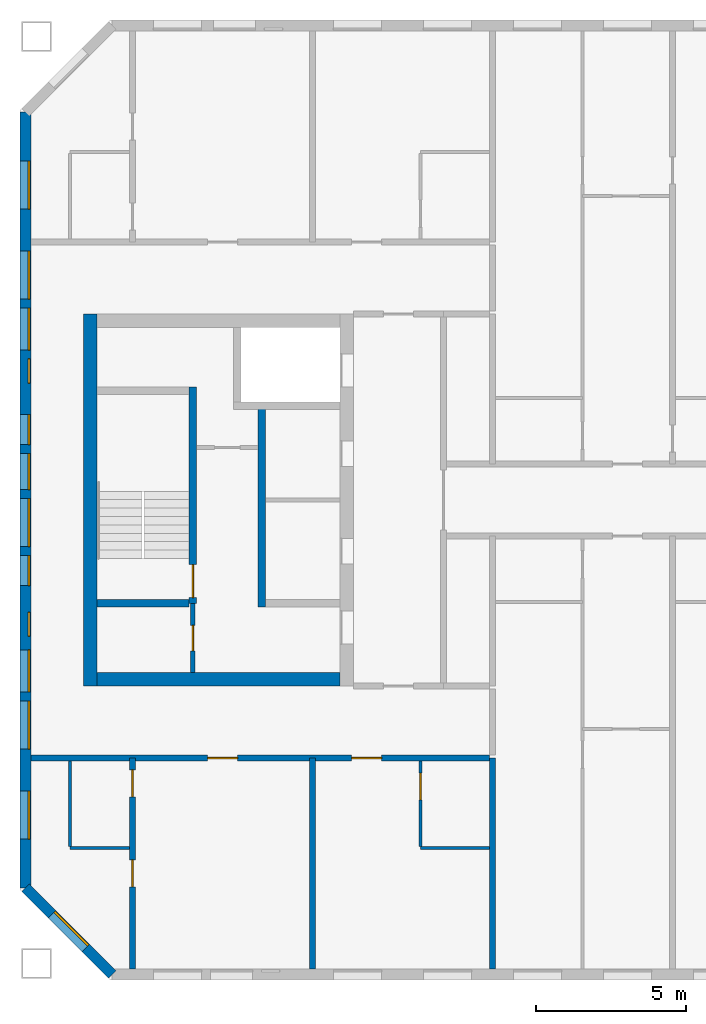
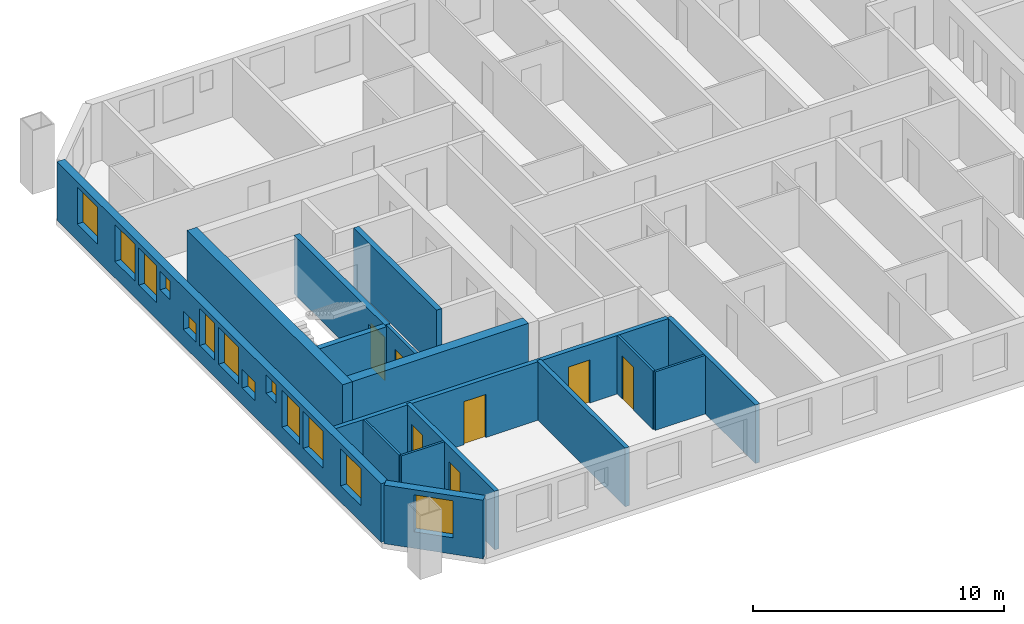
# One storey, part 2 of 16: 16 walls, 13 windows, 7 doors, 20 openings.
"""IFC4 building model written with IfcOpenShell, lengths in metres."""

import ifcopenshell
import ifcopenshell.guid

model = None  # the IFC model being written
_history = None  # IfcOwnerHistory: only IFC2X3 demands one
_inside = {}  # id of a spatial element -> (the spatial element, [elements in it])
_under = {}  # id of a project, library or spatial element -> (it, [spatial elements below it])
_declared = {}  # id of a project -> (the project, [libraries it declares])
_typed = {}  # id of a type object -> (the type object, [elements of that type])
_made_of = {}  # id of a material, layer set ... -> (it, [elements and type objects made of it])


def new_model(schema):
    """Start an empty IFC model of exactly this schema.

    Asked for "IFC4X3", IfcOpenShell would pick the latest addendum, in which some entities
    have other attributes; the version numbers below select the first issue.
    IFC2X3 requires an IfcOwnerHistory on every rooted entity: one is made here for all.
    """
    global model, _history
    if schema == "IFC4X3":
        model = ifcopenshell.file(schema_version=(4, 3, 0, 0))
    else:
        model = ifcopenshell.file(schema=schema)
    _inside.clear()
    _under.clear()
    _declared.clear()
    _typed.clear()
    _made_of.clear()
    _history = None
    if model.schema == "IFC2X3":
        org = make("IfcOrganization", Name="unknown")
        user = make(
            "IfcPersonAndOrganization",
            ThePerson=make("IfcPerson", FamilyName="unknown"),
            TheOrganization=org,
        )
        app = make(
            "IfcApplication",
            ApplicationDeveloper=org,
            Version="unknown",
            ApplicationFullName="unknown",
            ApplicationIdentifier="unknown",
        )
        _history = make(
            "IfcOwnerHistory",
            OwningUser=user,
            OwningApplication=app,
            ChangeAction="ADDED",
            CreationDate=0,
        )
    return model


def make(cls, **values):
    """One entity of the class cls with the attributes given. An attribute that is None is left unset."""
    return model.create_entity(
        cls, **{name: value for name, value in values.items() if value is not None}
    )


def rooted(cls, **values):
    """An entity with a GlobalId (a new one), such as an element, a storey or a relation."""
    return make(cls, GlobalId=ifcopenshell.guid.new(), OwnerHistory=_history, **values)


def si_unit(unit_type, name, prefix=None):
    """IfcSIUnit, for example si_unit("LENGTHUNIT", "METRE", prefix="MILLI")."""
    return make("IfcSIUnit", UnitType=unit_type, Prefix=prefix, Name=name)


def assignment(units):
    """IfcUnitAssignment: the units of a project."""
    return None if units is None else make("IfcUnitAssignment", Units=units)


def point(xyz):
    """IfcCartesianPoint."""
    return None if xyz is None else make("IfcCartesianPoint", Coordinates=xyz)


def direction(xyz):
    """IfcDirection."""
    return None if xyz is None else make("IfcDirection", DirectionRatios=xyz)


def frame(location, z_axis=None, x_axis=None):
    """IfcAxis2Placement3D, a coordinate frame: its origin and axes. An axis left out is left unset."""
    return make(
        "IfcAxis2Placement3D",
        Location=point(location),
        Axis=direction(z_axis),
        RefDirection=direction(x_axis),
    )


def frame_2d(location, x_axis=None):
    """IfcAxis2Placement2D, a coordinate frame in the plane: its origin and x axis."""
    return make(
        "IfcAxis2Placement2D", Location=point(location), RefDirection=direction(x_axis)
    )


def origin():
    """The frame at (0, 0, 0) with its axes left unset."""
    return frame((0.0, 0.0, 0.0))


def place(relative_to, where):
    """IfcLocalPlacement: puts the frame where relative to a parent placement (None: the world)."""
    return make(
        "IfcLocalPlacement", PlacementRelTo=relative_to, RelativePlacement=where
    )


def context(
    kind, dimensions, precision=None, world=None, true_north=None, identifier=None
):
    """IfcGeometricRepresentationContext, for example the 3D "Model" context."""
    return make(
        "IfcGeometricRepresentationContext",
        ContextIdentifier=identifier,
        ContextType=kind,
        CoordinateSpaceDimension=dimensions,
        Precision=precision,
        WorldCoordinateSystem=world,
        TrueNorth=true_north,
    )


def subcontext(parent, identifier, kind, view, scale=None):
    """IfcGeometricRepresentationSubContext, for example "Body" below "Model"."""
    return make(
        "IfcGeometricRepresentationSubContext",
        ContextIdentifier=identifier,
        ContextType=kind,
        ParentContext=parent,
        TargetScale=scale,
        TargetView=view,
    )


def project(units=None, contexts=None):
    """IfcProject with its units and contexts."""
    return rooted(
        "IfcProject",
        Name="project",
        RepresentationContexts=contexts,
        UnitsInContext=assignment(units),
    )


def spatial(cls, under=None, at=None, **own):
    """A site, building, storey or space (cls), placed at a placement, below another one or the project."""
    s = rooted(cls, ObjectPlacement=at, **own)
    if under is not None:
        _under.setdefault(under.id(), (under, []))[1].append(s)
    return s


def profile(cls, at=None, kind="AREA", **sizes):
    """A parametric profile (cls). Its sizes go by their IFC names, for example OverallWidth=200.0."""
    return make(cls, ProfileType=kind, Position=at, **sizes)


def rectangle(**sizes):
    """IfcRectangleProfileDef."""
    return profile("IfcRectangleProfileDef", **sizes)


def extrude(swept, where, along, depth):
    """IfcExtrudedAreaSolid: the profile swept, set in the frame where, extruded along a direction by depth."""
    return make(
        "IfcExtrudedAreaSolid",
        SweptArea=swept,
        Position=where,
        ExtrudedDirection=direction(along),
        Depth=depth,
    )


def shape(context_of_items, identifier, shape_type, items):
    """IfcShapeRepresentation: the items that make up one representation, for example the "Body"."""
    return make(
        "IfcShapeRepresentation",
        ContextOfItems=context_of_items,
        RepresentationIdentifier=identifier,
        RepresentationType=shape_type,
        Items=items,
    )


def material(Name=None, Category=None):
    """IfcMaterial."""
    return make("IfcMaterial", Name=Name, Category=Category)


def layer(
    of_material, thickness, ventilated=None, Name=None, Category=None, Priority=None
):
    """IfcMaterialLayer: one layer of a wall or slab, of a material (None: an air gap)."""
    return make(
        "IfcMaterialLayer",
        Material=of_material,
        LayerThickness=thickness,
        IsVentilated=ventilated,
        Name=Name,
        Category=Category,
        Priority=Priority,
    )


def layer_set(layers, Name=None):
    """IfcMaterialLayerSet."""
    return make("IfcMaterialLayerSet", MaterialLayers=layers, LayerSetName=Name)


def made_of(thing, what):
    """Note that an element or type object is made of a material, layer set ...; save() writes the relation."""
    if what is not None:
        _made_of.setdefault(what.id(), (what, []))[1].append(thing)
    return thing


def type_object(cls, material=None, **own):
    """A type object (cls), such as IfcWallType, which elements share."""
    return made_of(rooted(cls, **own), material)


def element(
    cls,
    number,
    at=None,
    inside=None,
    cuts=None,
    type_object=None,
    material=None,
    context=None,
    identifier="Body",
    shape_type=None,
    held_by="IfcProductDefinitionShape",
    body=None,
    shapes=None,
    **own,
):
    """One element of the class cls, such as IfcWall. Its Tag is "e" and its number.

    at: its placement. inside: the storey or other place that contains it. cuts: it is an
    opening in that element (IfcRelVoidsElement). A single representation is given by context,
    identifier, shape_type and body (its items); several are given by shapes. held_by: the class
    of the entity that holds the representations. save() writes the other relations.
    """
    e = rooted(cls, Tag="e%d" % number, ObjectPlacement=at, **own)
    if body is not None:
        shapes = [shape(context, identifier, shape_type, body)]
    if shapes is not None:
        e.Representation = make(held_by, Representations=shapes)
    if inside is not None:
        _inside.setdefault(inside.id(), (inside, []))[1].append(e)
    if cuts is not None:
        rooted(
            "IfcRelVoidsElement", RelatingBuildingElement=cuts, RelatedOpeningElement=e
        )
    if type_object is not None:
        _typed.setdefault(type_object.id(), (type_object, []))[1].append(e)
    return made_of(e, material)


def fill(opening, filler):
    """IfcRelFillsElement: the door or window that sits in an opening."""
    return rooted(
        "IfcRelFillsElement",
        RelatingOpeningElement=opening,
        RelatedBuildingElement=filler,
    )


def aggregate(whole, parts):
    """IfcRelAggregates: a whole, such as a stair, and the parts it consists of."""
    return rooted("IfcRelAggregates", RelatingObject=whole, RelatedObjects=parts)


def save(model, path):
    """Write the relations noted so far, then the file.

    IfcRelAggregates (storeys below a building ...), IfcRelContainedInSpatialStructure (elements
    in a storey), IfcRelDefinesByType, IfcRelAssociatesMaterial and IfcRelDeclares: one each for
    every whole, place, type object, material and project.
    """
    for whole, parts in _under.values():
        aggregate(whole, parts)
    for where, things in _inside.values():
        rooted(
            "IfcRelContainedInSpatialStructure",
            RelatedElements=things,
            RelatingStructure=where,
        )
    for kind, things in _typed.values():
        rooted("IfcRelDefinesByType", RelatedObjects=things, RelatingType=kind)
    for what, things in _made_of.values():
        rooted("IfcRelAssociatesMaterial", RelatedObjects=things, RelatingMaterial=what)
    for by, libraries in _declared.values():
        rooted("IfcRelDeclares", RelatingContext=by, RelatedDefinitions=libraries)
    model.write(path)


model = new_model("IFC4")

# Units and contexts
model_context = context("Model", 3, precision=1e-05, world=origin(), true_north=direction((0.0, 1.0)))
body_context = subcontext(model_context, "Body", "Model", "MODEL_VIEW")
ifc_project = project(units=[si_unit("LENGTHUNIT", "METRE"), si_unit("AREAUNIT", "SQUARE_METRE"), si_unit("VOLUMEUNIT", "CUBIC_METRE"), si_unit("PLANEANGLEUNIT", "RADIAN"), si_unit("MASSUNIT", "GRAM", prefix="KILO")], contexts=[model_context])

# Site, building, storey
site_placement = place(None, origin())
site = spatial("IfcSite", under=ifc_project, at=site_placement, CompositionType="ELEMENT")
building_placement = place(site_placement, origin())
building = spatial("IfcBuilding", under=site, at=building_placement, Name="Tuart Gate Housing", CompositionType="ELEMENT")
storey_placement = place(building_placement, frame((0.0, 0.0, 178.89990234375)))
storey = spatial("IfcBuildingStorey", under=building, at=storey_placement, Name="L50", CompositionType="ELEMENT", Elevation=178.89990234375)

# Wall, opening, window
ifc_material_1 = material(Name="Brick", Category="masonry")
ifc_layer_1 = layer(ifc_material_1, 0.360107421875)
ifc_layer_set_1 = layer_set([ifc_layer_1], Name="Brick pier and spandrel wall 360")
wall_type_1 = type_object("IfcWallType", Name="Brick pier and spandrel wall 360", PredefinedType="STANDARD", material=ifc_layer_set_1)
wall_1_placement = place(storey_placement, frame((30.429931640625, 57.07470703125, 0.0), z_axis=(0.0, 0.0, 1.0), x_axis=(0.707106781187, -0.707106781187, 0.0)))
wall_1 = element("IfcWall", 1, at=wall_1_placement, inside=storey, type_object=wall_type_1, Name="External wall A-SW L50", PredefinedType="STANDARD", context=body_context, shape_type="SweptSolid", body=[
    extrude(rectangle(XDim=4.09375, YDim=0.360107421875, at=frame_2d((2.046875, 0.0))), origin(), (0.0, 0.0, 1.0), 2.85009765625),
])
opening_1_placement = place(wall_1_placement, frame((1.2470703125, 0.0, 0.800048828125)))
opening_1 = element("IfcOpeningElement", 2, at=opening_1_placement, cuts=wall_1, Name="Opening W1", PredefinedType="OPENING", context=body_context, shape_type="SweptSolid", body=[
    extrude(rectangle(XDim=1.60009765625, YDim=1.800048828125, at=frame_2d((0.800048828125, 0.89990234375))), frame((0.0, 0.18994140625, 0.0), z_axis=(0.0, -1.0, 0.0), x_axis=(1.0, 0.0, 0.0)), (0.0, 0.0, 1.0), 0.380126953125),
])
ifc_material_2 = material(Name="Aluminium frame with clear glass", Category="aluminium")
window_type_1 = type_object("IfcWindowType", Name="Punched window 1600 x 1800", PartitioningType="SINGLE_PANEL", PredefinedType="WINDOW", material=ifc_material_2)
window_1_placement = place(opening_1_placement, origin())
window_1 = element("IfcWindow", 3, at=window_1_placement, inside=storey, type_object=window_type_1, Name="Window W1", OverallHeight=1.800048828125, OverallWidth=1.60009765625, PartitioningType="SINGLE_PANEL", PredefinedType="WINDOW", context=body_context, shape_type="SweptSolid", body=[
    extrude(rectangle(XDim=1.60009765625, YDim=1.800048828125, at=frame_2d((0.800048828125, 0.89990234375))), frame((0.0, 0.150146484375, 0.0), z_axis=(0.0, -1.0, 0.0), x_axis=(1.0, 0.0, 0.0)), (0.0, 0.0, 1.0), 0.06005859375),
])
fill(opening_1, window_1)

# Wall, openings, windows
wall_2_placement = place(storey_placement, frame((30.429931640625, 82.92529296875, 0.0), z_axis=(0.0, 0.0, 1.0), x_axis=(0.0, -1.0, 0.0)))
wall_2 = element("IfcWall", 4, at=wall_2_placement, inside=storey, type_object=wall_type_1, Name="External wall A-W L50", PredefinedType="STANDARD", context=body_context, shape_type="SweptSolid", body=[
    extrude(rectangle(XDim=25.850830078125, YDim=0.360107421875, at=frame_2d((12.92529296875, 0.0))), origin(), (0.0, 0.0, 1.0), 2.85009765625),
])
opening_2_placement = place(wall_2_placement, frame((1.62548828125, 0.0, 0.800048828125)))
opening_2 = element("IfcOpeningElement", 5, at=opening_2_placement, cuts=wall_2, Name="Opening W1", PredefinedType="OPENING", context=body_context, shape_type="SweptSolid", body=[
    extrude(rectangle(XDim=1.60009765625, YDim=1.800048828125, at=frame_2d((0.800048828125, 0.89990234375))), frame((0.0, 0.18994140625, 0.0), z_axis=(0.0, -1.0, 0.0), x_axis=(1.0, 0.0, 0.0)), (0.0, 0.0, 1.0), 0.380126953125),
])
opening_3_placement = place(wall_2_placement, frame((4.62548828125, 0.0, 0.800048828125)))
opening_3 = element("IfcOpeningElement", 6, at=opening_3_placement, cuts=wall_2, Name="Opening W1", PredefinedType="OPENING", context=body_context, shape_type="SweptSolid", body=[
    extrude(rectangle(XDim=1.60009765625, YDim=1.800048828125, at=frame_2d((0.800048828125, 0.89990234375))), frame((0.0, 0.18994140625, 0.0), z_axis=(0.0, -1.0, 0.0), x_axis=(1.0, 0.0, 0.0)), (0.0, 0.0, 1.0), 0.380126953125),
])
opening_4_placement = place(wall_2_placement, frame((6.525390625, 0.0, 0.800048828125)))
opening_4 = element("IfcOpeningElement", 7, at=opening_4_placement, cuts=wall_2, Name="Opening W1A", PredefinedType="OPENING", context=body_context, shape_type="SweptSolid", body=[
    extrude(rectangle(XDim=1.39990234375, YDim=1.800048828125, at=frame_2d((0.699951171875, 0.89990234375))), frame((0.0, 0.18994140625, 0.0), z_axis=(0.0, -1.0, 0.0), x_axis=(1.0, 0.0, 0.0)), (0.0, 0.0, 1.0), 0.380126953125),
])
opening_5_placement = place(wall_2_placement, frame((8.225341796875, 0.0, 1.60009765625)))
opening_5 = element("IfcOpeningElement", 8, at=opening_5_placement, cuts=wall_2, Name="Opening W1V", PredefinedType="OPENING", context=body_context, shape_type="SweptSolid", body=[
    extrude(rectangle(XDim=0.800048828125, YDim=0.89990234375, at=frame_2d((0.39990234375, 0.449951171875))), frame((0.0, 0.18994140625, 0.0), z_axis=(0.0, -1.0, 0.0), x_axis=(1.0, 0.0, 0.0)), (0.0, 0.0, 1.0), 0.380126953125),
])
opening_6_placement = place(wall_2_placement, frame((10.075439453125, 0.0, 0.800048828125)))
opening_6 = element("IfcOpeningElement", 9, at=opening_6_placement, cuts=wall_2, Name="Opening W1U", PredefinedType="OPENING", context=body_context, shape_type="SweptSolid", body=[
    extrude(rectangle(XDim=1.0, YDim=0.89990234375, at=frame_2d((0.5, 0.449951171875))), frame((0.0, 0.18994140625, 0.0), z_axis=(0.0, -1.0, 0.0), x_axis=(1.0, 0.0, 0.0)), (0.0, 0.0, 1.0), 0.380126953125),
])
opening_7_placement = place(wall_2_placement, frame((11.37548828125, 0.0, 0.800048828125)))
opening_7 = element("IfcOpeningElement", 10, at=opening_7_placement, cuts=wall_2, Name="Opening W1B", PredefinedType="OPENING", context=body_context, shape_type="SweptSolid", body=[
    extrude(rectangle(XDim=1.199951171875, YDim=1.800048828125, at=frame_2d((0.60009765625, 0.89990234375))), frame((0.0, 0.18994140625, 0.0), z_axis=(0.0, -1.0, 0.0), x_axis=(1.0, 0.0, 0.0)), (0.0, 0.0, 1.0), 0.380126953125),
])
opening_8_placement = place(wall_2_placement, frame((19.62548828125, 0.0, 0.800048828125)))
opening_8 = element("IfcOpeningElement", 11, at=opening_8_placement, cuts=wall_2, Name="Opening W1", PredefinedType="OPENING", context=body_context, shape_type="SweptSolid", body=[
    extrude(rectangle(XDim=1.60009765625, YDim=1.800048828125, at=frame_2d((0.800048828125, 0.89990234375))), frame((0.0, 0.18994140625, 0.0), z_axis=(0.0, -1.0, 0.0), x_axis=(1.0, 0.0, 0.0)), (0.0, 0.0, 1.0), 0.380126953125),
])
opening_9_placement = place(wall_2_placement, frame((22.62548828125, 0.0, 0.800048828125)))
opening_9 = element("IfcOpeningElement", 12, at=opening_9_placement, cuts=wall_2, Name="Opening W1", PredefinedType="OPENING", context=body_context, shape_type="SweptSolid", body=[
    extrude(rectangle(XDim=1.60009765625, YDim=1.800048828125, at=frame_2d((0.800048828125, 0.89990234375))), frame((0.0, 0.18994140625, 0.0), z_axis=(0.0, -1.0, 0.0), x_axis=(1.0, 0.0, 0.0)), (0.0, 0.0, 1.0), 0.380126953125),
])
opening_10_placement = place(wall_2_placement, frame((12.87548828125, 0.0, 0.800048828125)))
opening_10 = element("IfcOpeningElement", 13, at=opening_10_placement, cuts=wall_2, Name="Opening W1", PredefinedType="OPENING", context=body_context, shape_type="SweptSolid", body=[
    extrude(rectangle(XDim=1.60009765625, YDim=1.800048828125, at=frame_2d((0.800048828125, 0.89990234375))), frame((0.0, 0.18994140625, 0.0), z_axis=(0.0, -1.0, 0.0), x_axis=(1.0, 0.0, 0.0)), (0.0, 0.0, 1.0), 0.380126953125),
])
opening_11_placement = place(wall_2_placement, frame((14.775390625, 0.0, 0.800048828125)))
opening_11 = element("IfcOpeningElement", 14, at=opening_11_placement, cuts=wall_2, Name="Opening W1U", PredefinedType="OPENING", context=body_context, shape_type="SweptSolid", body=[
    extrude(rectangle(XDim=1.0, YDim=0.89990234375, at=frame_2d((0.5, 0.449951171875))), frame((0.0, 0.18994140625, 0.0), z_axis=(0.0, -1.0, 0.0), x_axis=(1.0, 0.0, 0.0)), (0.0, 0.0, 1.0), 0.380126953125),
])
opening_12_placement = place(wall_2_placement, frame((16.67529296875, 0.0, 1.699951171875)))
opening_12 = element("IfcOpeningElement", 15, at=opening_12_placement, cuts=wall_2, Name="Opening W1V", PredefinedType="OPENING", context=body_context, shape_type="SweptSolid", body=[
    extrude(rectangle(XDim=0.800048828125, YDim=0.89990234375, at=frame_2d((0.39990234375, 0.449951171875))), frame((0.0, 0.18994140625, 0.0), z_axis=(0.0, -1.0, 0.0), x_axis=(1.0, 0.0, 0.0)), (0.0, 0.0, 1.0), 0.380126953125),
])
opening_13_placement = place(wall_2_placement, frame((17.92529296875, 0.0, 0.800048828125)))
opening_13 = element("IfcOpeningElement", 16, at=opening_13_placement, cuts=wall_2, Name="Opening W1A", PredefinedType="OPENING", context=body_context, shape_type="SweptSolid", body=[
    extrude(rectangle(XDim=1.39990234375, YDim=1.800048828125, at=frame_2d((0.699951171875, 0.89990234375))), frame((0.0, 0.18994140625, 0.0), z_axis=(0.0, -1.0, 0.0), x_axis=(1.0, 0.0, 0.0)), (0.0, 0.0, 1.0), 0.380126953125),
])
ifc_material_3 = material(Name="Aluminium frame with clear glass", Category="aluminium")
window_type_2 = type_object("IfcWindowType", Name="Punched window 1000 x 900", PartitioningType="SINGLE_PANEL", PredefinedType="WINDOW", material=ifc_material_3)
window_2_placement = place(opening_6_placement, origin())
window_2 = element("IfcWindow", 17, at=window_2_placement, inside=storey, type_object=window_type_2, Name="Window W1U", OverallHeight=0.89990234375, OverallWidth=1.0, PartitioningType="SINGLE_PANEL", PredefinedType="WINDOW", context=body_context, shape_type="SweptSolid", body=[
    extrude(rectangle(XDim=1.0, YDim=0.89990234375, at=frame_2d((0.5, 0.449951171875))), frame((0.0, 0.150146484375, 0.0), z_axis=(0.0, -1.0, 0.0), x_axis=(1.0, 0.0, 0.0)), (0.0, 0.0, 1.0), 0.06005859375),
])
fill(opening_6, window_2)
window_3_placement = place(opening_11_placement, origin())
window_3 = element("IfcWindow", 18, at=window_3_placement, inside=storey, type_object=window_type_2, Name="Window W1U", OverallHeight=0.89990234375, OverallWidth=1.0, PartitioningType="SINGLE_PANEL", PredefinedType="WINDOW", context=body_context, shape_type="SweptSolid", body=[
    extrude(rectangle(XDim=1.0, YDim=0.89990234375, at=frame_2d((0.5, 0.449951171875))), frame((0.0, 0.150146484375, 0.0), z_axis=(0.0, -1.0, 0.0), x_axis=(1.0, 0.0, 0.0)), (0.0, 0.0, 1.0), 0.06005859375),
])
fill(opening_11, window_3)
ifc_material_4 = material(Name="Aluminium frame with clear glass", Category="aluminium")
window_type_3 = type_object("IfcWindowType", Name="Punched window 1200 x 1800", PartitioningType="SINGLE_PANEL", PredefinedType="WINDOW", material=ifc_material_4)
window_4_placement = place(opening_7_placement, origin())
window_4 = element("IfcWindow", 19, at=window_4_placement, inside=storey, type_object=window_type_3, Name="Window W1B", OverallHeight=1.800048828125, OverallWidth=1.199951171875, PartitioningType="SINGLE_PANEL", PredefinedType="WINDOW", context=body_context, shape_type="SweptSolid", body=[
    extrude(rectangle(XDim=1.199951171875, YDim=1.800048828125, at=frame_2d((0.60009765625, 0.89990234375))), frame((0.0, 0.150146484375, 0.0), z_axis=(0.0, -1.0, 0.0), x_axis=(1.0, 0.0, 0.0)), (0.0, 0.0, 1.0), 0.06005859375),
])
fill(opening_7, window_4)
ifc_material_5 = material(Name="Aluminium frame with clear glass", Category="aluminium")
window_type_4 = type_object("IfcWindowType", Name="Punched window 1400 x 1800", PartitioningType="SINGLE_PANEL", PredefinedType="WINDOW", material=ifc_material_5)
window_5_placement = place(opening_4_placement, origin())
window_5 = element("IfcWindow", 20, at=window_5_placement, inside=storey, type_object=window_type_4, Name="Window W1A", OverallHeight=1.800048828125, OverallWidth=1.39990234375, PartitioningType="SINGLE_PANEL", PredefinedType="WINDOW", context=body_context, shape_type="SweptSolid", body=[
    extrude(rectangle(XDim=1.39990234375, YDim=1.800048828125, at=frame_2d((0.699951171875, 0.89990234375))), frame((0.0, 0.150146484375, 0.0), z_axis=(0.0, -1.0, 0.0), x_axis=(1.0, 0.0, 0.0)), (0.0, 0.0, 1.0), 0.06005859375),
])
fill(opening_4, window_5)
window_6_placement = place(opening_13_placement, origin())
window_6 = element("IfcWindow", 21, at=window_6_placement, inside=storey, type_object=window_type_4, Name="Window W1A", OverallHeight=1.800048828125, OverallWidth=1.39990234375, PartitioningType="SINGLE_PANEL", PredefinedType="WINDOW", context=body_context, shape_type="SweptSolid", body=[
    extrude(rectangle(XDim=1.39990234375, YDim=1.800048828125, at=frame_2d((0.699951171875, 0.89990234375))), frame((0.0, 0.150146484375, 0.0), z_axis=(0.0, -1.0, 0.0), x_axis=(1.0, 0.0, 0.0)), (0.0, 0.0, 1.0), 0.06005859375),
])
fill(opening_13, window_6)
window_7_placement = place(opening_2_placement, origin())
window_7 = element("IfcWindow", 22, at=window_7_placement, inside=storey, type_object=window_type_1, Name="Window W1", OverallHeight=1.800048828125, OverallWidth=1.60009765625, PartitioningType="SINGLE_PANEL", PredefinedType="WINDOW", context=body_context, shape_type="SweptSolid", body=[
    extrude(rectangle(XDim=1.60009765625, YDim=1.800048828125, at=frame_2d((0.800048828125, 0.89990234375))), frame((0.0, 0.150146484375, 0.0), z_axis=(0.0, -1.0, 0.0), x_axis=(1.0, 0.0, 0.0)), (0.0, 0.0, 1.0), 0.06005859375),
])
fill(opening_2, window_7)
window_8_placement = place(opening_3_placement, origin())
window_8 = element("IfcWindow", 23, at=window_8_placement, inside=storey, type_object=window_type_1, Name="Window W1", OverallHeight=1.800048828125, OverallWidth=1.60009765625, PartitioningType="SINGLE_PANEL", PredefinedType="WINDOW", context=body_context, shape_type="SweptSolid", body=[
    extrude(rectangle(XDim=1.60009765625, YDim=1.800048828125, at=frame_2d((0.800048828125, 0.89990234375))), frame((0.0, 0.150146484375, 0.0), z_axis=(0.0, -1.0, 0.0), x_axis=(1.0, 0.0, 0.0)), (0.0, 0.0, 1.0), 0.06005859375),
])
fill(opening_3, window_8)
window_9_placement = place(opening_8_placement, origin())
window_9 = element("IfcWindow", 24, at=window_9_placement, inside=storey, type_object=window_type_1, Name="Window W1", OverallHeight=1.800048828125, OverallWidth=1.60009765625, PartitioningType="SINGLE_PANEL", PredefinedType="WINDOW", context=body_context, shape_type="SweptSolid", body=[
    extrude(rectangle(XDim=1.60009765625, YDim=1.800048828125, at=frame_2d((0.800048828125, 0.89990234375))), frame((0.0, 0.150146484375, 0.0), z_axis=(0.0, -1.0, 0.0), x_axis=(1.0, 0.0, 0.0)), (0.0, 0.0, 1.0), 0.06005859375),
])
fill(opening_8, window_9)
window_10_placement = place(opening_9_placement, origin())
window_10 = element("IfcWindow", 25, at=window_10_placement, inside=storey, type_object=window_type_1, Name="Window W1", OverallHeight=1.800048828125, OverallWidth=1.60009765625, PartitioningType="SINGLE_PANEL", PredefinedType="WINDOW", context=body_context, shape_type="SweptSolid", body=[
    extrude(rectangle(XDim=1.60009765625, YDim=1.800048828125, at=frame_2d((0.800048828125, 0.89990234375))), frame((0.0, 0.150146484375, 0.0), z_axis=(0.0, -1.0, 0.0), x_axis=(1.0, 0.0, 0.0)), (0.0, 0.0, 1.0), 0.06005859375),
])
fill(opening_9, window_10)
window_11_placement = place(opening_10_placement, origin())
window_11 = element("IfcWindow", 26, at=window_11_placement, inside=storey, type_object=window_type_1, Name="Window W1", OverallHeight=1.800048828125, OverallWidth=1.60009765625, PartitioningType="SINGLE_PANEL", PredefinedType="WINDOW", context=body_context, shape_type="SweptSolid", body=[
    extrude(rectangle(XDim=1.60009765625, YDim=1.800048828125, at=frame_2d((0.800048828125, 0.89990234375))), frame((0.0, 0.150146484375, 0.0), z_axis=(0.0, -1.0, 0.0), x_axis=(1.0, 0.0, 0.0)), (0.0, 0.0, 1.0), 0.06005859375),
])
fill(opening_10, window_11)
ifc_material_6 = material(Name="Aluminium frame with clear glass", Category="aluminium")
window_type_5 = type_object("IfcWindowType", Name="Punched window 800 x 900", PartitioningType="SINGLE_PANEL", PredefinedType="WINDOW", material=ifc_material_6)
window_12_placement = place(opening_5_placement, origin())
window_12 = element("IfcWindow", 27, at=window_12_placement, inside=storey, type_object=window_type_5, Name="Window W1V", OverallHeight=0.89990234375, OverallWidth=0.800048828125, PartitioningType="SINGLE_PANEL", PredefinedType="WINDOW", context=body_context, shape_type="SweptSolid", body=[
    extrude(rectangle(XDim=0.800048828125, YDim=0.89990234375, at=frame_2d((0.39990234375, 0.449951171875))), frame((0.0, 0.150146484375, 0.0), z_axis=(0.0, -1.0, 0.0), x_axis=(1.0, 0.0, 0.0)), (0.0, 0.0, 1.0), 0.06005859375),
])
fill(opening_5, window_12)
window_13_placement = place(opening_12_placement, origin())
window_13 = element("IfcWindow", 28, at=window_13_placement, inside=storey, type_object=window_type_5, Name="Window W1V", OverallHeight=0.89990234375, OverallWidth=0.800048828125, PartitioningType="SINGLE_PANEL", PredefinedType="WINDOW", context=body_context, shape_type="SweptSolid", body=[
    extrude(rectangle(XDim=0.800048828125, YDim=0.89990234375, at=frame_2d((0.39990234375, 0.449951171875))), frame((0.0, 0.150146484375, 0.0), z_axis=(0.0, -1.0, 0.0), x_axis=(1.0, 0.0, 0.0)), (0.0, 0.0, 1.0), 0.06005859375),
])
fill(opening_12, window_13)

# Wall, opening, door
ifc_material_7 = material(Name="Plasterboard partition")
ifc_layer_2 = layer(ifc_material_7, 0.14990234375)
ifc_layer_set_2 = layer_set([ifc_layer_2], Name="Core partition 150")
wall_type_2 = type_object("IfcWallType", Name="Core partition 150", PredefinedType="PARTITIONING", material=ifc_layer_set_2)
wall_3_placement = place(storey_placement, frame((36.010009765625, 66.550048828125, 0.0), z_axis=(0.0, 0.0, 1.0), x_axis=(0.0, -1.0, 0.0)))
wall_3 = element("IfcWall", 29, at=wall_3_placement, inside=storey, type_object=wall_type_2, Name="Core partition AK.10", PredefinedType="PARTITIONING", context=body_context, shape_type="SweptSolid", body=[
    extrude(rectangle(XDim=2.300048828125, YDim=0.14990234375, at=frame_2d((1.14990234375, 0.0))), origin(), (0.0, 0.0, 1.0), 2.85009765625),
])
opening_14_placement = place(wall_3_placement, frame((0.72509765625, 0.0, 0.0)))
opening_14 = element("IfcOpeningElement", 30, at=opening_14_placement, cuts=wall_3, Name="Opening D1769", PredefinedType="OPENING", context=body_context, shape_type="SweptSolid", body=[
    extrude(rectangle(XDim=0.85009765625, YDim=2.10009765625, at=frame_2d((0.425048828125, 1.050048828125))), frame((0.0, 0.0849609375, 0.0), z_axis=(0.0, -1.0, 0.0), x_axis=(1.0, 0.0, 0.0)), (0.0, 0.0, 1.0), 0.169921875),
])
ifc_material_8 = material(Name="Steel fire door", Category="steel")
door_type_1 = type_object("IfcDoorType", Name="Service door 850 x 2100 RH", OperationType="SINGLE_SWING_RIGHT", PredefinedType="DOOR", material=ifc_material_8)
door_1_placement = place(opening_14_placement, frame((0.85009765625, 0.0, 0.0), z_axis=(0.0, 0.0, 1.0), x_axis=(-1.0, 0.0, 0.0)))
door_1 = element("IfcDoor", 31, at=door_1_placement, inside=storey, type_object=door_type_1, Name="Service room door AK.ST", OperationType="SINGLE_SWING_RIGHT", OverallHeight=2.10009765625, OverallWidth=0.85009765625, PredefinedType="DOOR", context=body_context, shape_type="SweptSolid", body=[
    extrude(rectangle(XDim=0.85009765625, YDim=2.10009765625, at=frame_2d((0.425048828125, 1.050048828125))), frame((0.0, 0.025146484375, 0.0), z_axis=(0.0, -1.0, 0.0), x_axis=(1.0, 0.0, 0.0)), (0.0, 0.0, 1.0), 0.050048828125),
])
fill(opening_14, door_1)

# Walls
ifc_material_9 = material(Name="Concrete C40", Category="concrete")
ifc_layer_3 = layer(ifc_material_9, 0.25)
ifc_layer_set_3 = layer_set([ifc_layer_3], Name="Core wall 250 C40")
wall_type_3 = type_object("IfcWallType", Name="Core wall 250 C40", PredefinedType="SHEAR", material=ifc_layer_set_3)
wall_4_placement = place(storey_placement, frame((35.885009765625, 66.550048828125, 0.0), z_axis=(0.0, 0.0, 1.0), x_axis=(-1.0, 0.0, 0.0)))
element("IfcWall", 32, at=wall_4_placement, inside=storey, type_object=wall_type_3, Name="Core wall AK.6", PredefinedType="SHEAR", context=body_context, shape_type="SweptSolid", body=[
    extrude(rectangle(XDim=3.074951171875, YDim=0.25, at=frame_2d((1.53759765625, 0.0))), origin(), (0.0, 0.0, 1.0), 2.85009765625),
])
wall_5_placement = place(storey_placement, frame((38.31005859375, 73.02490234375, 0.0), z_axis=(0.0, 0.0, 1.0), x_axis=(0.0, -1.0, 0.0)))
element("IfcWall", 33, at=wall_5_placement, inside=storey, type_object=wall_type_3, Name="Core wall AK.7", PredefinedType="SHEAR", context=body_context, shape_type="SweptSolid", body=[
    extrude(rectangle(XDim=6.599853515625, YDim=0.25, at=frame_2d((3.2998046875, 0.0))), origin(), (0.0, 0.0, 1.0), 2.85009765625),
])

# Wall, opening, door
wall_6_placement = place(storey_placement, frame((36.010009765625, 73.77490234375, 0.0), z_axis=(0.0, 0.0, 1.0), x_axis=(0.0, -1.0, 0.0)))
wall_6 = element("IfcWall", 34, at=wall_6_placement, inside=storey, type_object=wall_type_3, Name="Core wall AK.9", PredefinedType="SHEAR", context=body_context, shape_type="SweptSolid", body=[
    extrude(rectangle(XDim=7.224853515625, YDim=0.25, at=frame_2d((3.6123046875, 0.0))), origin(), (0.0, 0.0, 1.0), 2.85009765625),
])
opening_15_placement = place(wall_6_placement, frame((5.925048828125, 0.0, 0.0)))
opening_15 = element("IfcOpeningElement", 35, at=opening_15_placement, cuts=wall_6, Name="Opening D1758", PredefinedType="OPENING", context=body_context, shape_type="SweptSolid", body=[
    extrude(rectangle(XDim=1.10009765625, YDim=2.10009765625, at=frame_2d((0.550048828125, 1.050048828125))), frame((0.0, 0.135009765625, 0.0), z_axis=(0.0, -1.0, 0.0), x_axis=(1.0, 0.0, 0.0)), (0.0, 0.0, 1.0), 0.27001953125),
])
ifc_material_10 = material(Name="Steel fire door", Category="steel")
door_type_2 = type_object("IfcDoorType", Name="Stair door 1100 x 2100", OperationType="SINGLE_SWING_LEFT", PredefinedType="DOOR", material=ifc_material_10)
door_2_placement = place(opening_15_placement, frame((1.10009765625, 0.0, 0.0), z_axis=(0.0, 0.0, 1.0), x_axis=(-1.0, 0.0, 0.0)))
door_2 = element("IfcDoor", 36, at=door_2_placement, inside=storey, type_object=door_type_2, Name="Stair door AK.SD", OperationType="SINGLE_SWING_LEFT", OverallHeight=2.10009765625, OverallWidth=1.10009765625, PredefinedType="DOOR", context=body_context, shape_type="SweptSolid", body=[
    extrude(rectangle(XDim=1.10009765625, YDim=2.10009765625, at=frame_2d((0.550048828125, 1.050048828125))), frame((0.0, 0.025146484375, 0.0), z_axis=(0.0, -1.0, 0.0), x_axis=(1.0, 0.0, 0.0)), (0.0, 0.0, 1.0), 0.050048828125),
])
fill(opening_15, door_2)

# Walls
ifc_material_11 = material(Name="Concrete C40", Category="concrete")
ifc_layer_4 = layer(ifc_material_11, 0.449951171875)
ifc_layer_set_4 = layer_set([ifc_layer_4], Name="Core wall 450 C40")
wall_type_4 = type_object("IfcWallType", Name="Core wall 450 C40", PredefinedType="SHEAR", material=ifc_layer_set_4)
wall_7_placement = place(storey_placement, frame((32.5849609375, 76.199951171875, 0.0), z_axis=(0.0, 0.0, 1.0), x_axis=(0.0, -1.0, 0.0)))
element("IfcWall", 37, at=wall_7_placement, inside=storey, type_object=wall_type_4, Name="Core wall AK back", PredefinedType="SHEAR", context=body_context, shape_type="SweptSolid", body=[
    extrude(rectangle(XDim=12.39990234375, YDim=0.449951171875, at=frame_2d((6.199951171875, 0.0))), origin(), (0.0, 0.0, 1.0), 2.85009765625),
])
wall_8_placement = place(storey_placement, frame((40.909912109375, 64.02490234375, 0.0), z_axis=(0.0, 0.0, 1.0), x_axis=(-1.0, 0.0, 0.0)))
element("IfcWall", 38, at=wall_8_placement, inside=storey, type_object=wall_type_4, Name="Core wall AK north", PredefinedType="SHEAR", context=body_context, shape_type="SweptSolid", body=[
    extrude(rectangle(XDim=8.099853515625, YDim=0.449951171875, at=frame_2d((4.0498046875, 0.0))), origin(), (0.0, 0.0, 1.0), 2.85009765625),
])

# Wall, openings, doors
ifc_material_12 = material(Name="Concrete masonry 15 MPa", Category="masonry")
ifc_layer_5 = layer(ifc_material_12, 0.199951171875)
ifc_layer_set_5 = layer_set([ifc_layer_5], Name="Corridor wall masonry 200")
wall_type_5 = type_object("IfcWallType", Name="Corridor wall masonry 200", PredefinedType="PARTITIONING", material=ifc_layer_set_5)
wall_9_placement = place(storey_placement, frame((30.610107421875, 61.39990234375, 0.0), z_axis=(0.0, 0.0, 1.0), x_axis=(1.0, 0.0, 0.0)))
wall_9 = element("IfcWall", 39, at=wall_9_placement, inside=storey, type_object=wall_type_5, Name="Corridor wall masonry 200", PredefinedType="PARTITIONING", context=body_context, shape_type="SweptSolid", body=[
    extrude(rectangle(XDim=15.289794921875, YDim=0.199951171875, at=frame_2d((7.64501953125, 0.0))), origin(), (0.0, 0.0, 1.0), 2.85009765625),
])
opening_16_placement = place(wall_9_placement, frame((10.68994140625, 0.0, 0.0)))
opening_16 = element("IfcOpeningElement", 40, at=opening_16_placement, cuts=wall_9, Name="Opening D1781", PredefinedType="OPENING", context=body_context, shape_type="SweptSolid", body=[
    extrude(rectangle(XDim=1.0, YDim=2.10009765625, at=frame_2d((0.5, 1.050048828125))), frame((0.0, 0.10986328125, 0.0), z_axis=(0.0, -1.0, 0.0), x_axis=(1.0, 0.0, 0.0)), (0.0, 0.0, 1.0), 0.219970703125),
])
opening_17_placement = place(wall_9_placement, frame((5.889892578125, 0.0, 0.0)))
opening_17 = element("IfcOpeningElement", 41, at=opening_17_placement, cuts=wall_9, Name="Opening D1782", PredefinedType="OPENING", context=body_context, shape_type="SweptSolid", body=[
    extrude(rectangle(XDim=1.0, YDim=2.10009765625, at=frame_2d((0.5, 1.050048828125))), frame((0.0, 0.10986328125, 0.0), z_axis=(0.0, -1.0, 0.0), x_axis=(1.0, 0.0, 0.0)), (0.0, 0.0, 1.0), 0.219970703125),
])
ifc_material_13 = material(Name="Timber door leaf in steel frame", Category="steel")
door_type_3 = type_object("IfcDoorType", Name="Flat entrance door 1000 RH", OperationType="SINGLE_SWING_RIGHT", PredefinedType="DOOR", material=ifc_material_13)
door_3_placement = place(opening_16_placement, frame((1.0, 0.0, 0.0), z_axis=(0.0, 0.0, 1.0), x_axis=(-1.0, 0.0, 0.0)))
door_3 = element("IfcDoor", 42, at=door_3_placement, inside=storey, type_object=door_type_3, Name="Flat entrance door", OperationType="SINGLE_SWING_RIGHT", OverallHeight=2.10009765625, OverallWidth=1.0, PredefinedType="DOOR", context=body_context, shape_type="SweptSolid", body=[
    extrude(rectangle(XDim=1.0, YDim=2.10009765625, at=frame_2d((0.5, 1.050048828125))), frame((0.0, 0.025146484375, 0.0), z_axis=(0.0, -1.0, 0.0), x_axis=(1.0, 0.0, 0.0)), (0.0, 0.0, 1.0), 0.050048828125),
])
fill(opening_16, door_3)
door_4_placement = place(opening_17_placement, frame((1.0, 0.0, 0.0), z_axis=(0.0, 0.0, 1.0), x_axis=(-1.0, 0.0, 0.0)))
door_4 = element("IfcDoor", 43, at=door_4_placement, inside=storey, type_object=door_type_3, Name="Flat entrance door", OperationType="SINGLE_SWING_RIGHT", OverallHeight=2.10009765625, OverallWidth=1.0, PredefinedType="DOOR", context=body_context, shape_type="SweptSolid", body=[
    extrude(rectangle(XDim=1.0, YDim=2.10009765625, at=frame_2d((0.5, 1.050048828125))), frame((0.0, 0.025146484375, 0.0), z_axis=(0.0, -1.0, 0.0), x_axis=(1.0, 0.0, 0.0)), (0.0, 0.0, 1.0), 0.050048828125),
])
fill(opening_17, door_4)

# Walls
ifc_material_14 = material(Name="Gypsum board on steel studs", Category="steel")
ifc_layer_6 = layer(ifc_material_14, 0.10009765625)
ifc_layer_set_6 = layer_set([ifc_layer_6], Name="Partition 100")
wall_type_6 = type_object("IfcWallType", Name="Partition 100", PredefinedType="PARTITIONING", material=ifc_layer_set_6)
wall_10_placement = place(storey_placement, frame((31.909912109375, 58.39990234375, 0.0), z_axis=(0.0, 0.0, 1.0), x_axis=(1.0, 0.0, 0.0)))
element("IfcWall", 44, at=wall_10_placement, inside=storey, type_object=wall_type_6, Name="Partition 100", PredefinedType="PARTITIONING", context=body_context, shape_type="SweptSolid", body=[
    extrude(rectangle(XDim=1.989990234375, YDim=0.10009765625, at=frame_2d((0.9951171875, 0.0))), origin(), (0.0, 0.0, 1.0), 2.85009765625),
])
wall_11_placement = place(storey_placement, frame((43.60009765625, 58.39990234375, 0.0), z_axis=(0.0, 0.0, 1.0), x_axis=(1.0, 0.0, 0.0)))
element("IfcWall", 45, at=wall_11_placement, inside=storey, type_object=wall_type_6, Name="Partition 100", PredefinedType="PARTITIONING", context=body_context, shape_type="SweptSolid", body=[
    extrude(rectangle(XDim=2.2998046875, YDim=0.10009765625, at=frame_2d((1.14990234375, 0.0))), origin(), (0.0, 0.0, 1.0), 2.85009765625),
])
wall_12_placement = place(storey_placement, frame((31.909912109375, 58.449951171875, 0.0), z_axis=(0.0, 0.0, 1.0), x_axis=(0.0, 1.0, 0.0)))
element("IfcWall", 46, at=wall_12_placement, inside=storey, type_object=wall_type_6, Name="Partition 100", PredefinedType="PARTITIONING", context=body_context, shape_type="SweptSolid", body=[
    extrude(rectangle(XDim=2.85009765625, YDim=0.10009765625, at=frame_2d((1.425048828125, 0.0))), origin(), (0.0, 0.0, 1.0), 2.85009765625),
])

# Wall, opening, door
wall_13_placement = place(storey_placement, frame((43.60009765625, 58.449951171875, 0.0), z_axis=(0.0, 0.0, 1.0), x_axis=(0.0, 1.0, 0.0)))
wall_13 = element("IfcWall", 47, at=wall_13_placement, inside=storey, type_object=wall_type_6, Name="Partition 100", PredefinedType="PARTITIONING", context=body_context, shape_type="SweptSolid", body=[
    extrude(rectangle(XDim=2.85009765625, YDim=0.10009765625, at=frame_2d((1.425048828125, 0.0))), origin(), (0.0, 0.0, 1.0), 2.85009765625),
])
opening_18_placement = place(wall_13_placement, frame((1.550048828125, 0.0, 0.0)))
opening_18 = element("IfcOpeningElement", 48, at=opening_18_placement, cuts=wall_13, Name="Opening D1785", PredefinedType="OPENING", context=body_context, shape_type="SweptSolid", body=[
    extrude(rectangle(XDim=0.89990234375, YDim=2.10009765625, at=frame_2d((0.449951171875, 1.050048828125))), frame((0.0, 0.06005859375, 0.0), z_axis=(0.0, -1.0, 0.0), x_axis=(1.0, 0.0, 0.0)), (0.0, 0.0, 1.0), 0.1201171875),
])
ifc_material_15 = material(Name="Timber door leaf in steel frame", Category="steel")
door_type_4 = type_object("IfcDoorType", Name="Bathroom door 900", OperationType="SINGLE_SWING_LEFT", PredefinedType="DOOR", material=ifc_material_15)
door_5_placement = place(opening_18_placement, frame((0.89990234375, 0.0, 0.0), z_axis=(0.0, 0.0, 1.0), x_axis=(-1.0, 0.0, 0.0)))
door_5 = element("IfcDoor", 49, at=door_5_placement, inside=storey, type_object=door_type_4, Name="Bathroom door", OperationType="SINGLE_SWING_LEFT", OverallHeight=2.10009765625, OverallWidth=0.89990234375, PredefinedType="DOOR", context=body_context, shape_type="SweptSolid", body=[
    extrude(rectangle(XDim=0.89990234375, YDim=2.10009765625, at=frame_2d((0.449951171875, 1.050048828125))), frame((0.0, 0.025146484375, 0.0), z_axis=(0.0, -1.0, 0.0), x_axis=(1.0, 0.0, 0.0)), (0.0, 0.0, 1.0), 0.050048828125),
])
fill(opening_18, door_5)

# Wall, openings, doors
ifc_material_16 = material(Name="Concrete C40", Category="concrete")
ifc_layer_7 = layer(ifc_material_16, 0.199951171875)
ifc_layer_set_7 = layer_set([ifc_layer_7], Name="Party wall concrete C40 200")
wall_type_7 = type_object("IfcWallType", Name="Party wall concrete C40 200", PredefinedType="SOLIDWALL", material=ifc_layer_set_7)
wall_14_placement = place(storey_placement, frame((34.0, 54.360107421875, 0.0), z_axis=(0.0, 0.0, 1.0), x_axis=(0.0, 1.0, 0.0)))
wall_14 = element("IfcWall", 50, at=wall_14_placement, inside=storey, type_object=wall_type_7, Name="Party wall concrete C40 200", PredefinedType="SOLIDWALL", context=body_context, shape_type="SweptSolid", body=[
    extrude(rectangle(XDim=7.039794921875, YDim=0.199951171875, at=frame_2d((3.52001953125, 0.0))), origin(), (0.0, 0.0, 1.0), 2.85009765625),
])
opening_19_placement = place(wall_14_placement, frame((2.739990234375, 0.0, 0.0)))
opening_19 = element("IfcOpeningElement", 51, at=opening_19_placement, cuts=wall_14, Name="Opening D1790", PredefinedType="OPENING", context=body_context, shape_type="SweptSolid", body=[
    extrude(rectangle(XDim=0.89990234375, YDim=2.10009765625, at=frame_2d((0.449951171875, 1.050048828125))), frame((0.0, 0.10986328125, 0.0), z_axis=(0.0, -1.0, 0.0), x_axis=(1.0, 0.0, 0.0)), (0.0, 0.0, 1.0), 0.219970703125),
])
opening_20_placement = place(wall_14_placement, frame((5.739990234375, 0.0, 0.0)))
opening_20 = element("IfcOpeningElement", 52, at=opening_20_placement, cuts=wall_14, Name="Opening D1789", PredefinedType="OPENING", context=body_context, shape_type="SweptSolid", body=[
    extrude(rectangle(XDim=0.89990234375, YDim=2.10009765625, at=frame_2d((0.449951171875, 1.050048828125))), frame((0.0, 0.10986328125, 0.0), z_axis=(0.0, -1.0, 0.0), x_axis=(1.0, 0.0, 0.0)), (0.0, 0.0, 1.0), 0.219970703125),
])
ifc_material_17 = material(Name="Timber door leaf in steel frame", Category="steel")
door_type_5 = type_object("IfcDoorType", Name="Bathroom door 900 RH", OperationType="SINGLE_SWING_RIGHT", PredefinedType="DOOR", material=ifc_material_17)
door_6_placement = place(opening_20_placement, origin())
door_6 = element("IfcDoor", 53, at=door_6_placement, inside=storey, type_object=door_type_5, Name="Bathroom door", OperationType="SINGLE_SWING_RIGHT", OverallHeight=2.10009765625, OverallWidth=0.89990234375, PredefinedType="DOOR", context=body_context, shape_type="SweptSolid", body=[
    extrude(rectangle(XDim=0.89990234375, YDim=2.10009765625, at=frame_2d((0.449951171875, 1.050048828125))), frame((0.0, 0.02490234375, 0.0), z_axis=(0.0, -1.0, 0.0), x_axis=(1.0, 0.0, 0.0)), (0.0, 0.0, 1.0), 0.050048828125),
])
fill(opening_20, door_6)
ifc_material_18 = material(Name="Timber door leaf in steel frame", Category="steel")
door_type_6 = type_object("IfcDoorType", Name="Internal door 900 RH", OperationType="SINGLE_SWING_RIGHT", PredefinedType="DOOR", material=ifc_material_18)
door_7_placement = place(opening_19_placement, origin())
door_7 = element("IfcDoor", 54, at=door_7_placement, inside=storey, type_object=door_type_6, Name="Internal door", OperationType="SINGLE_SWING_RIGHT", OverallHeight=2.10009765625, OverallWidth=0.89990234375, PredefinedType="DOOR", context=body_context, shape_type="SweptSolid", body=[
    extrude(rectangle(XDim=0.89990234375, YDim=2.10009765625, at=frame_2d((0.449951171875, 1.050048828125))), frame((0.0, 0.02490234375, 0.0), z_axis=(0.0, -1.0, 0.0), x_axis=(1.0, 0.0, 0.0)), (0.0, 0.0, 1.0), 0.050048828125),
])
fill(opening_19, door_7)

# Walls
for number, where, z_axis, x_axis, name in (
    (55, (40.0, 54.360107421875, 0.0), (0.0, 0.0, 1.0), (0.0, 1.0, 0.0), "Party wall concrete C40 200"),
    (56, (46.0, 54.360107421875, 0.0), (0.0, 0.0, 1.0), (0.0, 1.0, 0.0), "Party wall concrete C40 200"),
):
    element("IfcWall", number, at=place(storey_placement, frame(where, z_axis=z_axis, x_axis=x_axis)), inside=storey, type_object=wall_type_7, Name=name, PredefinedType="SOLIDWALL", context=body_context, shape_type="SweptSolid", body=[
        extrude(rectangle(XDim=7.039794921875, YDim=0.199951171875, at=frame_2d((3.52001953125, 0.0))), origin(), (0.0, 0.0, 1.0), 2.85009765625),
    ])

save(model, "model.ifc")
